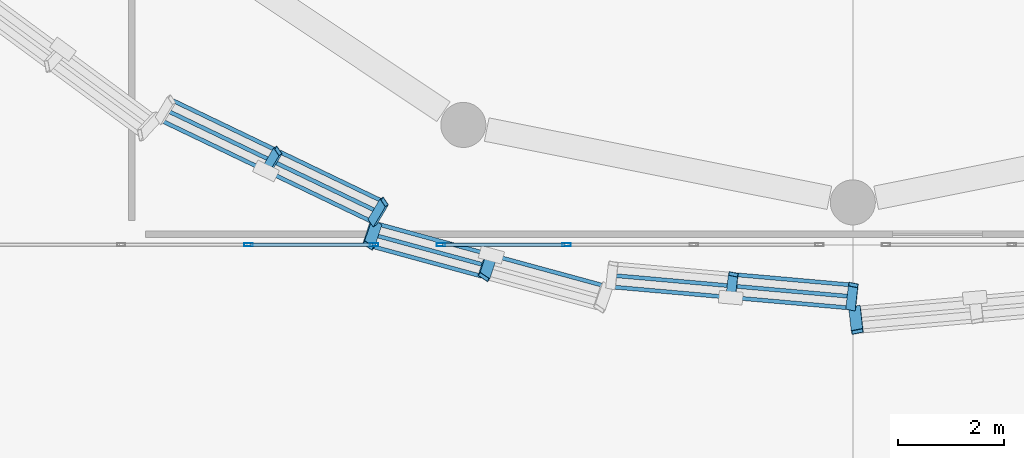
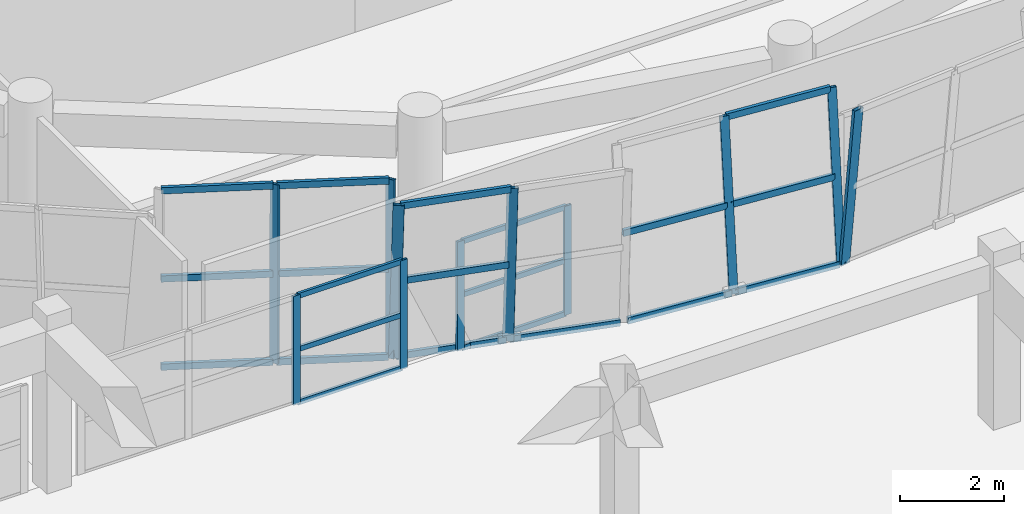
# One storey, part 19 of 74: 32 members, 6 elements without a shape of their own.
"""IFC4 building model written with IfcOpenShell, lengths in metres."""

import ifcopenshell
import ifcopenshell.guid

model = None  # the IFC model being written
_history = None  # IfcOwnerHistory: only IFC2X3 demands one
_inside = {}  # id of a spatial element -> (the spatial element, [elements in it])
_under = {}  # id of a project, library or spatial element -> (it, [spatial elements below it])
_declared = {}  # id of a project -> (the project, [libraries it declares])
_typed = {}  # id of a type object -> (the type object, [elements of that type])
_made_of = {}  # id of a material, layer set ... -> (it, [elements and type objects made of it])


def new_model(schema):
    """Start an empty IFC model of exactly this schema.

    Asked for "IFC4X3", IfcOpenShell would pick the latest addendum, in which some entities
    have other attributes; the version numbers below select the first issue.
    IFC2X3 requires an IfcOwnerHistory on every rooted entity: one is made here for all.
    """
    global model, _history
    if schema == "IFC4X3":
        model = ifcopenshell.file(schema_version=(4, 3, 0, 0))
    else:
        model = ifcopenshell.file(schema=schema)
    _inside.clear()
    _under.clear()
    _declared.clear()
    _typed.clear()
    _made_of.clear()
    _history = None
    if model.schema == "IFC2X3":
        org = make("IfcOrganization", Name="unknown")
        user = make(
            "IfcPersonAndOrganization",
            ThePerson=make("IfcPerson", FamilyName="unknown"),
            TheOrganization=org,
        )
        app = make(
            "IfcApplication",
            ApplicationDeveloper=org,
            Version="unknown",
            ApplicationFullName="unknown",
            ApplicationIdentifier="unknown",
        )
        _history = make(
            "IfcOwnerHistory",
            OwningUser=user,
            OwningApplication=app,
            ChangeAction="ADDED",
            CreationDate=0,
        )
    return model


def make(cls, **values):
    """One entity of the class cls with the attributes given. An attribute that is None is left unset."""
    return model.create_entity(
        cls, **{name: value for name, value in values.items() if value is not None}
    )


def rooted(cls, **values):
    """An entity with a GlobalId (a new one), such as an element, a storey or a relation."""
    return make(cls, GlobalId=ifcopenshell.guid.new(), OwnerHistory=_history, **values)


def si_unit(unit_type, name, prefix=None):
    """IfcSIUnit, for example si_unit("LENGTHUNIT", "METRE", prefix="MILLI")."""
    return make("IfcSIUnit", UnitType=unit_type, Prefix=prefix, Name=name)


def assignment(units):
    """IfcUnitAssignment: the units of a project."""
    return None if units is None else make("IfcUnitAssignment", Units=units)


def point(xyz):
    """IfcCartesianPoint."""
    return None if xyz is None else make("IfcCartesianPoint", Coordinates=xyz)


def direction(xyz):
    """IfcDirection."""
    return None if xyz is None else make("IfcDirection", DirectionRatios=xyz)


def frame(location, z_axis=None, x_axis=None):
    """IfcAxis2Placement3D, a coordinate frame: its origin and axes. An axis left out is left unset."""
    return make(
        "IfcAxis2Placement3D",
        Location=point(location),
        Axis=direction(z_axis),
        RefDirection=direction(x_axis),
    )


def frame_2d(location, x_axis=None):
    """IfcAxis2Placement2D, a coordinate frame in the plane: its origin and x axis."""
    return make(
        "IfcAxis2Placement2D", Location=point(location), RefDirection=direction(x_axis)
    )


def origin():
    """The frame at (0, 0, 0) with its axes left unset."""
    return frame((0.0, 0.0, 0.0))


def origin_2d():
    """The frame at (0, 0) in the plane with its x axis left unset."""
    return frame_2d((0.0, 0.0))


def place(relative_to, where):
    """IfcLocalPlacement: puts the frame where relative to a parent placement (None: the world)."""
    return make(
        "IfcLocalPlacement", PlacementRelTo=relative_to, RelativePlacement=where
    )


def context(
    kind, dimensions, precision=None, world=None, true_north=None, identifier=None
):
    """IfcGeometricRepresentationContext, for example the 3D "Model" context."""
    return make(
        "IfcGeometricRepresentationContext",
        ContextIdentifier=identifier,
        ContextType=kind,
        CoordinateSpaceDimension=dimensions,
        Precision=precision,
        WorldCoordinateSystem=world,
        TrueNorth=true_north,
    )


def subcontext(parent, identifier, kind, view, scale=None):
    """IfcGeometricRepresentationSubContext, for example "Body" below "Model"."""
    return make(
        "IfcGeometricRepresentationSubContext",
        ContextIdentifier=identifier,
        ContextType=kind,
        ParentContext=parent,
        TargetScale=scale,
        TargetView=view,
    )


def project(units=None, contexts=None):
    """IfcProject with its units and contexts."""
    return rooted(
        "IfcProject",
        Name="project",
        RepresentationContexts=contexts,
        UnitsInContext=assignment(units),
    )


def spatial(cls, under=None, at=None, **own):
    """A site, building, storey or space (cls), placed at a placement, below another one or the project."""
    s = rooted(cls, ObjectPlacement=at, **own)
    if under is not None:
        _under.setdefault(under.id(), (under, []))[1].append(s)
    return s


def profile(cls, at=None, kind="AREA", **sizes):
    """A parametric profile (cls). Its sizes go by their IFC names, for example OverallWidth=200.0."""
    return make(cls, ProfileType=kind, Position=at, **sizes)


def hollow_rectangle(**sizes):
    """IfcRectangleHollowProfileDef."""
    return profile("IfcRectangleHollowProfileDef", **sizes)


def extrude(swept, where, along, depth):
    """IfcExtrudedAreaSolid: the profile swept, set in the frame where, extruded along a direction by depth."""
    return make(
        "IfcExtrudedAreaSolid",
        SweptArea=swept,
        Position=where,
        ExtrudedDirection=direction(along),
        Depth=depth,
    )


def shape(context_of_items, identifier, shape_type, items):
    """IfcShapeRepresentation: the items that make up one representation, for example the "Body"."""
    return make(
        "IfcShapeRepresentation",
        ContextOfItems=context_of_items,
        RepresentationIdentifier=identifier,
        RepresentationType=shape_type,
        Items=items,
    )


def material(Name=None, Category=None):
    """IfcMaterial."""
    return make("IfcMaterial", Name=Name, Category=Category)


def material_profile(
    of_material, cross_section, Name=None, Category=None, Priority=None
):
    """IfcMaterialProfile: a cross section and its material."""
    return make(
        "IfcMaterialProfile",
        Name=Name,
        Material=of_material,
        Profile=cross_section,
        Priority=Priority,
        Category=Category,
    )


def profile_set(profiles, Name=None, composite=None):
    """IfcMaterialProfileSet."""
    return make(
        "IfcMaterialProfileSet",
        Name=Name,
        MaterialProfiles=profiles,
        CompositeProfile=composite,
    )


def made_of(thing, what):
    """Note that an element or type object is made of a material, layer set ...; save() writes the relation."""
    if what is not None:
        _made_of.setdefault(what.id(), (what, []))[1].append(thing)
    return thing


def type_object(cls, material=None, **own):
    """A type object (cls), such as IfcWallType, which elements share."""
    return made_of(rooted(cls, **own), material)


def element(
    cls,
    number,
    at=None,
    inside=None,
    cuts=None,
    type_object=None,
    material=None,
    context=None,
    identifier="Body",
    shape_type=None,
    held_by="IfcProductDefinitionShape",
    body=None,
    shapes=None,
    **own,
):
    """One element of the class cls, such as IfcWall. Its Tag is "e" and its number.

    at: its placement. inside: the storey or other place that contains it. cuts: it is an
    opening in that element (IfcRelVoidsElement). A single representation is given by context,
    identifier, shape_type and body (its items); several are given by shapes. held_by: the class
    of the entity that holds the representations. save() writes the other relations.
    """
    e = rooted(cls, Tag="e%d" % number, ObjectPlacement=at, **own)
    if body is not None:
        shapes = [shape(context, identifier, shape_type, body)]
    if shapes is not None:
        e.Representation = make(held_by, Representations=shapes)
    if inside is not None:
        _inside.setdefault(inside.id(), (inside, []))[1].append(e)
    if cuts is not None:
        rooted(
            "IfcRelVoidsElement", RelatingBuildingElement=cuts, RelatedOpeningElement=e
        )
    if type_object is not None:
        _typed.setdefault(type_object.id(), (type_object, []))[1].append(e)
    return made_of(e, material)


def aggregate(whole, parts):
    """IfcRelAggregates: a whole, such as a stair, and the parts it consists of."""
    return rooted("IfcRelAggregates", RelatingObject=whole, RelatedObjects=parts)


def save(model, path):
    """Write the relations noted so far, then the file.

    IfcRelAggregates (storeys below a building ...), IfcRelContainedInSpatialStructure (elements
    in a storey), IfcRelDefinesByType, IfcRelAssociatesMaterial and IfcRelDeclares: one each for
    every whole, place, type object, material and project.
    """
    for whole, parts in _under.values():
        aggregate(whole, parts)
    for where, things in _inside.values():
        rooted(
            "IfcRelContainedInSpatialStructure",
            RelatedElements=things,
            RelatingStructure=where,
        )
    for kind, things in _typed.values():
        rooted("IfcRelDefinesByType", RelatedObjects=things, RelatingType=kind)
    for what, things in _made_of.values():
        rooted("IfcRelAssociatesMaterial", RelatedObjects=things, RelatingMaterial=what)
    for by, libraries in _declared.values():
        rooted("IfcRelDeclares", RelatingContext=by, RelatedDefinitions=libraries)
    model.write(path)


model = new_model("IFC4")

# Units and contexts
model_context = context("Model", 3, precision=1e-05, world=origin(), true_north=direction((0.0, 1.0)))
body_context = subcontext(model_context, "Body", "Model", "MODEL_VIEW")
ifc_project = project(units=[si_unit("LENGTHUNIT", "METRE"), si_unit("AREAUNIT", "SQUARE_METRE"), si_unit("VOLUMEUNIT", "CUBIC_METRE"), si_unit("PLANEANGLEUNIT", "RADIAN"), si_unit("MASSUNIT", "GRAM", prefix="KILO")], contexts=[model_context])

# Site, building, storey
site_placement = place(None, origin())
site = spatial("IfcSite", under=ifc_project, at=site_placement, CompositionType="ELEMENT")
building_placement = place(site_placement, origin())
building = spatial("IfcBuilding", under=site, at=building_placement, Name="Korsvaeld Concert Hall", CompositionType="ELEMENT")
storey_placement = place(building_placement, frame((0.0, 0.0, 9.0)))
storey = spatial("IfcBuildingStorey", under=building, at=storey_placement, Name="L02", CompositionType="ELEMENT", Elevation=9.0)

# Curtain wall, members
ifc_material_1 = material(Name="Anodised bronze and ceramic-fritted safety glass", Category="glass")
curtain_wall_type_1 = type_object("IfcCurtainWallType", Name="CW-TYPE-08", PredefinedType="USERDEFINED", material=ifc_material_1)
curtain_wall_1_placement = place(storey_placement, origin())
curtain_wall_1 = element("IfcCurtainWall", 1, at=curtain_wall_1_placement, inside=storey, type_object=curtain_wall_type_1, Name="Glazed foyer acoustic screen L02-32", ObjectType="CURTAIN WALL", PredefinedType="USERDEFINED")
ifc_material_2 = material(Name="Anodised architectural bronze aluminium", Category="aluminium")
ifc_material_profile_1 = material_profile(ifc_material_2, hollow_rectangle(XDim=0.06005859375, YDim=0.159912109375, WallThickness=0.00390625, at=origin_2d()), Name="CWM 160x60x4")
ifc_profile_set_1 = profile_set([ifc_material_profile_1], Name="Anodised architectural bronze aluminium")
member_type_1 = type_object("IfcMemberType", Name="CWM-ALUM-160x60", PredefinedType="MULLION", material=ifc_profile_set_1)
member_1_placement = place(storey_placement, frame((72.60009765625, 43.199951171875, 0.0), z_axis=(0.0, 0.0, 1.0), x_axis=(0.0, 1.0, 0.0)))
member_1 = element("IfcMember", 2, at=member_1_placement, type_object=member_type_1, Name="CW-08 mullion 3", PredefinedType="MULLION", context=body_context, shape_type="SweptSolid", body=[
    extrude(hollow_rectangle(XDim=0.06005859375, YDim=0.159912109375, WallThickness=0.00390625, at=origin_2d()), origin(), (0.0, 0.0, 1.0), 2.550048828125),
])
member_2_placement = place(storey_placement, frame((74.969970703125, 43.199951171875, 0.0), z_axis=(0.0, 0.0, 1.0), x_axis=(0.0, 1.0, 0.0)))
member_2 = element("IfcMember", 3, at=member_2_placement, type_object=member_type_1, Name="CW-08 mullion 4", PredefinedType="MULLION", context=body_context, shape_type="SweptSolid", body=[
    extrude(hollow_rectangle(XDim=0.06005859375, YDim=0.159912109375, WallThickness=0.00390625, at=origin_2d()), origin(), (0.0, 0.0, 1.0), 2.550048828125),
])

curtain_wall_type_2 = type_object("IfcCurtainWallType", Name="CW-TYPE-09", PredefinedType="USERDEFINED", material=ifc_material_1)
curtain_wall_2_placement = place(storey_placement, origin())
curtain_wall_2 = element("IfcCurtainWall", 4, at=curtain_wall_2_placement, inside=storey, type_object=curtain_wall_type_2, Name="Glazed foyer acoustic screen L02-33", ObjectType="CURTAIN WALL", PredefinedType="USERDEFINED")
member_3_placement = place(storey_placement, frame((76.22998046875, 43.199951171875, 0.0), z_axis=(0.0, 0.0, 1.0), x_axis=(0.0, 1.0, 0.0)))
member_3 = element("IfcMember", 5, at=member_3_placement, type_object=member_type_1, Name="CW-09 mullion 1", PredefinedType="MULLION", context=body_context, shape_type="SweptSolid", body=[
    extrude(hollow_rectangle(XDim=0.06005859375, YDim=0.159912109375, WallThickness=0.00390625, at=origin_2d()), origin(), (0.0, 0.0, 1.0), 2.550048828125),
])
member_4_placement = place(storey_placement, frame((78.60009765625, 43.199951171875, 0.0), z_axis=(0.0, 0.0, 1.0), x_axis=(0.0, 1.0, 0.0)))
member_4 = element("IfcMember", 6, at=member_4_placement, type_object=member_type_1, Name="CW-09 mullion 2", PredefinedType="MULLION", context=body_context, shape_type="SweptSolid", body=[
    extrude(hollow_rectangle(XDim=0.06005859375, YDim=0.159912109375, WallThickness=0.00390625, at=origin_2d()), origin(), (0.0, 0.0, 1.0), 2.550048828125),
])

curtain_wall_type_3 = type_object("IfcCurtainWallType", Name="CW-TYPE-06", PredefinedType="USERDEFINED", material=ifc_material_1)
curtain_wall_3_placement = place(storey_placement, origin())
curtain_wall_3 = element("IfcCurtainWall", 7, at=curtain_wall_3_placement, inside=storey, type_object=curtain_wall_type_3, Name="Crystal curtain-wall facet L02 F22", ObjectType="CURTAIN WALL", PredefinedType="USERDEFINED")
ifc_material_profile_2 = material_profile(ifc_material_2, hollow_rectangle(XDim=0.074951171875, YDim=0.179931640625, WallThickness=0.0048828125, at=origin_2d()), Name="CWM 180x75x5")
ifc_profile_set_2 = profile_set([ifc_material_profile_2], Name="Anodised architectural bronze aluminium")
member_type_2 = type_object("IfcMemberType", Name="CWM-BRONZE-180x75", PredefinedType="MULLION", material=ifc_profile_set_2)
member_5_placement = place(storey_placement, frame((72.9287109375, 44.59326171875, 0.0), z_axis=(0.057831431032, 0.097281845066, 0.993575245367), x_axis=(-0.829740385878, -0.548745919408, 0.10202356579)))
member_5 = element("IfcMember", 8, at=member_5_placement, type_object=member_type_2, Name="CW-CRYS-L02-F22 crystal mullion 2", PredefinedType="MULLION", context=body_context, shape_type="SweptSolid", body=[
    extrude(hollow_rectangle(XDim=0.074951171875, YDim=0.179931640625, WallThickness=0.0048828125, at=origin_2d()), origin(), (0.0, 0.0, 1.0), 3.905029296875),
])
member_6_placement = place(storey_placement, frame((74.934814453125, 43.630126953125, 0.0), z_axis=(0.057893742062, 0.097281493141, 0.993571651026), x_axis=(-0.829999138773, -0.548349174532, 0.102052008437)))
member_6 = element("IfcMember", 9, at=member_6_placement, type_object=member_type_2, Name="CW-CRYS-L02-F22 crystal mullion 3", PredefinedType="MULLION", context=body_context, shape_type="SweptSolid", body=[
    extrude(hollow_rectangle(XDim=0.074951171875, YDim=0.179931640625, WallThickness=0.0048828125, at=origin_2d()), origin(), (0.0, 0.0, 1.0), 3.905029296875),
])

curtain_wall_4_placement = place(storey_placement, origin())
curtain_wall_4 = element("IfcCurtainWall", 10, at=curtain_wall_4_placement, inside=storey, type_object=curtain_wall_type_1, Name="Crystal curtain-wall facet L02 F24", ObjectType="CURTAIN WALL", PredefinedType="USERDEFINED")
member_7_placement = place(storey_placement, frame((81.697998046875, 42.20361328125, 0.0), z_axis=(0.0123164825, 0.112536388326, 0.993571268486), x_axis=(-0.195293442092, -0.974240168355, 0.11276775177)))
member_7 = element("IfcMember", 11, at=member_7_placement, type_object=member_type_2, Name="CW-CRYS-L02-F24 crystal mullion 2", PredefinedType="MULLION", context=body_context, shape_type="SweptSolid", body=[
    extrude(hollow_rectangle(XDim=0.074951171875, YDim=0.179931640625, WallThickness=0.0048828125, at=origin_2d()), origin(), (0.0, 0.0, 1.0), 3.905029296875),
])
member_8_placement = place(storey_placement, frame((83.962646484375, 42.00341796875, 0.0), z_axis=(0.012316569133, 0.112474659242, 0.993578257186), x_axis=(-0.195352766752, -0.974235346506, 0.112706637517)))
member_8 = element("IfcMember", 12, at=member_8_placement, type_object=member_type_2, Name="CW-CRYS-L02-F24 crystal mullion 3", PredefinedType="MULLION", context=body_context, shape_type="SweptSolid", body=[
    extrude(hollow_rectangle(XDim=0.074951171875, YDim=0.179931640625, WallThickness=0.0048828125, at=origin_2d()), origin(), (0.0, 0.0, 1.0), 3.905029296875),
])

curtain_wall_type_4 = type_object("IfcCurtainWallType", Name="CW-TYPE-07", PredefinedType="USERDEFINED", material=ifc_material_1)
curtain_wall_5_placement = place(storey_placement, origin())
curtain_wall_5 = element("IfcCurtainWall", 13, at=curtain_wall_5_placement, inside=storey, type_object=curtain_wall_type_4, Name="Crystal curtain-wall facet L02 F23", ObjectType="CURTAIN WALL", PredefinedType="USERDEFINED")
ifc_material_profile_3 = material_profile(ifc_material_2, hollow_rectangle(XDim=0.074951171875, YDim=0.219970703125, WallThickness=0.006103515625, at=origin_2d()), Name="CWM 220x75x6")
ifc_profile_set_3 = profile_set([ifc_material_profile_3], Name="Anodised architectural bronze aluminium")
member_type_3 = type_object("IfcMemberType", Name="CWM-BRONZE-220x75", PredefinedType="MULLION", material=ifc_profile_set_3)
member_9_placement = place(storey_placement, frame((75.0048828125, 43.60400390625, 0.0), z_axis=(-0.036199127939, -0.107284462077, 0.993569155788), x_axis=(0.555586106848, 0.82425112305, 0.109243599485)))
member_9 = element("IfcMember", 14, at=member_9_placement, type_object=member_type_3, Name="CW-CRYS-L02-F23 crystal mullion 1", PredefinedType="MULLION", context=body_context, shape_type="SweptSolid", body=[
    extrude(hollow_rectangle(XDim=0.074951171875, YDim=0.219970703125, WallThickness=0.006103515625, at=origin_2d()), origin(), (0.0, 0.0, 1.0), 3.905029296875),
])
member_10_placement = place(storey_placement, frame((77.182373046875, 43.010498046875, 0.0), z_axis=(-0.036261809037, -0.107222418101, 0.993573567614), x_axis=(0.556164276889, 0.823866065586, 0.109206241069)))
member_10 = element("IfcMember", 15, at=member_10_placement, type_object=member_type_3, Name="CW-CRYS-L02-F23 crystal mullion 2", PredefinedType="MULLION", context=body_context, shape_type="SweptSolid", body=[
    extrude(hollow_rectangle(XDim=0.074951171875, YDim=0.219970703125, WallThickness=0.006103515625, at=origin_2d()), origin(), (0.0, 0.0, 1.0), 3.905029296875),
])

# Curtain wall, member
curtain_wall_type_5 = type_object("IfcCurtainWallType", Name="CW-TYPE-01", PredefinedType="USERDEFINED", material=ifc_material_1)
curtain_wall_6_placement = place(storey_placement, origin())
curtain_wall_6 = element("IfcCurtainWall", 16, at=curtain_wall_6_placement, inside=storey, type_object=curtain_wall_type_5, Name="Crystal curtain-wall facet L02 F25", ObjectType="CURTAIN WALL", PredefinedType="USERDEFINED")
member_11_placement = place(storey_placement, frame((84.037353515625, 42.00341796875, 0.0), z_axis=(0.0123164825, -0.112536388326, 0.993571268486), x_axis=(-0.195293442092, 0.974240168355, 0.11276775177)))
member_11 = element("IfcMember", 17, at=member_11_placement, type_object=member_type_3, Name="CW-CRYS-L02-F25 crystal mullion 1", PredefinedType="MULLION", context=body_context, shape_type="SweptSolid", body=[
    extrude(hollow_rectangle(XDim=0.074951171875, YDim=0.219970703125, WallThickness=0.006103515625, at=origin_2d()), origin(), (0.0, 0.0, 1.0), 3.905029296875),
])
aggregate(curtain_wall_6, [member_11])

# Member
ifc_material_profile_4 = material_profile(ifc_material_2, hollow_rectangle(XDim=0.06005859375, YDim=0.1201171875, WallThickness=0.00390625, at=origin_2d()), Name="CWT 120x60x4")
ifc_profile_set_4 = profile_set([ifc_material_profile_4], Name="Anodised architectural bronze aluminium")
member_type_4 = type_object("IfcMemberType", Name="CWT-ALUM-120x60", PredefinedType="USERDEFINED", material=ifc_profile_set_4)
member_12_placement = place(storey_placement, frame((72.6298828125, 43.199951171875, 0.030029296875), z_axis=(1.0, 0.0, 0.0), x_axis=(0.0, 1.0, 0.0)))
member_12 = element("IfcMember", 18, at=member_12_placement, type_object=member_type_4, Name="CW-08 transom 3.1", ObjectType="TRANSOM", PredefinedType="USERDEFINED", context=body_context, shape_type="SweptSolid", body=[
    extrude(hollow_rectangle(XDim=0.06005859375, YDim=0.1201171875, WallThickness=0.00390625, at=origin_2d()), origin(), (0.0, 0.0, 1.0), 2.31005859375),
])

member_13_placement = place(storey_placement, frame((72.6298828125, 43.199951171875, 1.27490234375), z_axis=(1.0, 0.0, 0.0), x_axis=(0.0, 1.0, 0.0)))
member_13 = element("IfcMember", 19, at=member_13_placement, type_object=member_type_4, Name="CW-08 transom 3.2", ObjectType="TRANSOM", PredefinedType="USERDEFINED", context=body_context, shape_type="SweptSolid", body=[
    extrude(hollow_rectangle(XDim=0.06005859375, YDim=0.1201171875, WallThickness=0.00390625, at=origin_2d()), origin(), (0.0, 0.0, 1.0), 2.31005859375),
])

member_14_placement = place(storey_placement, frame((72.6298828125, 43.199951171875, 2.52001953125), z_axis=(1.0, 0.0, 0.0), x_axis=(0.0, 1.0, 0.0)))
member_14 = element("IfcMember", 20, at=member_14_placement, type_object=member_type_4, Name="CW-08 transom 3.3", ObjectType="TRANSOM", PredefinedType="USERDEFINED", context=body_context, shape_type="SweptSolid", body=[
    extrude(hollow_rectangle(XDim=0.06005859375, YDim=0.1201171875, WallThickness=0.00390625, at=origin_2d()), origin(), (0.0, 0.0, 1.0), 2.31005859375),
])

aggregate(curtain_wall_1, [member_1, member_2, member_12, member_13, member_14])

member_15_placement = place(storey_placement, frame((76.260009765625, 43.199951171875, 0.030029296875), z_axis=(1.0, 0.0, 0.0), x_axis=(0.0, 1.0, 0.0)))
member_15 = element("IfcMember", 21, at=member_15_placement, type_object=member_type_4, Name="CW-09 transom 1.1", ObjectType="TRANSOM", PredefinedType="USERDEFINED", context=body_context, shape_type="SweptSolid", body=[
    extrude(hollow_rectangle(XDim=0.06005859375, YDim=0.1201171875, WallThickness=0.00390625, at=origin_2d()), origin(), (0.0, 0.0, 1.0), 2.31005859375),
])

member_16_placement = place(storey_placement, frame((76.260009765625, 43.199951171875, 1.27490234375), z_axis=(1.0, 0.0, 0.0), x_axis=(0.0, 1.0, 0.0)))
member_16 = element("IfcMember", 22, at=member_16_placement, type_object=member_type_4, Name="CW-09 transom 1.2", ObjectType="TRANSOM", PredefinedType="USERDEFINED", context=body_context, shape_type="SweptSolid", body=[
    extrude(hollow_rectangle(XDim=0.06005859375, YDim=0.1201171875, WallThickness=0.00390625, at=origin_2d()), origin(), (0.0, 0.0, 1.0), 2.31005859375),
])

member_17_placement = place(storey_placement, frame((76.260009765625, 43.199951171875, 2.52001953125), z_axis=(1.0, 0.0, 0.0), x_axis=(0.0, 1.0, 0.0)))
member_17 = element("IfcMember", 23, at=member_17_placement, type_object=member_type_4, Name="CW-09 transom 1.3", ObjectType="TRANSOM", PredefinedType="USERDEFINED", context=body_context, shape_type="SweptSolid", body=[
    extrude(hollow_rectangle(XDim=0.06005859375, YDim=0.1201171875, WallThickness=0.00390625, at=origin_2d()), origin(), (0.0, 0.0, 1.0), 2.31005859375),
])

aggregate(curtain_wall_2, [member_3, member_4, member_15, member_16, member_17])

ifc_material_profile_5 = material_profile(ifc_material_2, hollow_rectangle(XDim=0.074951171875, YDim=0.14990234375, WallThickness=0.0048828125, at=origin_2d()), Name="CWT 150x75x5")
ifc_profile_set_5 = profile_set([ifc_material_profile_5], Name="Anodised architectural bronze aluminium")
member_type_5 = type_object("IfcMemberType", Name="CWT-BRONZE-150x75", PredefinedType="USERDEFINED", material=ifc_profile_set_5)
member_18_placement = place(storey_placement, frame((70.957763671875, 45.543212890625, 0.030029296875), z_axis=(0.901508884705, -0.432760592935, 0.0), x_axis=(0.432760592935, 0.901508884705, 0.0)))
member_18 = element("IfcMember", 24, at=member_18_placement, type_object=member_type_5, Name="CW-CRYS-L02-F22 crystal transom 1.1", ObjectType="TRANSOM", PredefinedType="USERDEFINED", context=body_context, shape_type="SweptSolid", body=[
    extrude(hollow_rectangle(XDim=0.074951171875, YDim=0.14990234375, WallThickness=0.0048828125, at=origin_2d()), origin(), (0.0, 0.0, 1.0), 2.150634765625),
])

member_19_placement = place(storey_placement, frame((71.069091796875, 45.730224609375, 1.93994140625), z_axis=(0.901508884705, -0.432760592935, 0.0), x_axis=(0.432760592935, 0.901508884705, 0.0)))
member_19 = element("IfcMember", 25, at=member_19_placement, type_object=member_type_5, Name="CW-CRYS-L02-F22 crystal transom 1.2", ObjectType="TRANSOM", PredefinedType="USERDEFINED", context=body_context, shape_type="SweptSolid", body=[
    extrude(hollow_rectangle(XDim=0.074951171875, YDim=0.14990234375, WallThickness=0.0048828125, at=origin_2d()), origin(), (0.0, 0.0, 1.0), 2.150634765625),
])

member_20_placement = place(storey_placement, frame((71.180419921875, 45.917236328125, 3.85009765625), z_axis=(0.901508884705, -0.432760592935, 0.0), x_axis=(0.432760592935, 0.901508884705, 0.0)))
member_20 = element("IfcMember", 26, at=member_20_placement, type_object=member_type_5, Name="CW-CRYS-L02-F22 crystal transom 1.3", ObjectType="TRANSOM", PredefinedType="USERDEFINED", context=body_context, shape_type="SweptSolid", body=[
    extrude(hollow_rectangle(XDim=0.074951171875, YDim=0.14990234375, WallThickness=0.0048828125, at=origin_2d()), origin(), (0.0, 0.0, 1.0), 2.150634765625),
])

member_21_placement = place(storey_placement, frame((72.964111328125, 44.580078125, 0.030029296875), z_axis=(0.901464591462, -0.432852850679, 0.0), x_axis=(0.432852850679, 0.901464591462, 0.0)))
member_21 = element("IfcMember", 27, at=member_21_placement, type_object=member_type_5, Name="CW-CRYS-L02-F22 crystal transom 2.1", ObjectType="TRANSOM", PredefinedType="USERDEFINED", context=body_context, shape_type="SweptSolid", body=[
    extrude(hollow_rectangle(XDim=0.074951171875, YDim=0.14990234375, WallThickness=0.0048828125, at=origin_2d()), origin(), (0.0, 0.0, 1.0), 2.150634765625),
])

member_22_placement = place(storey_placement, frame((73.075439453125, 44.76708984375, 1.93994140625), z_axis=(0.901464591462, -0.432852850679, 0.0), x_axis=(0.432852850679, 0.901464591462, 0.0)))
member_22 = element("IfcMember", 28, at=member_22_placement, type_object=member_type_5, Name="CW-CRYS-L02-F22 crystal transom 2.2", ObjectType="TRANSOM", PredefinedType="USERDEFINED", context=body_context, shape_type="SweptSolid", body=[
    extrude(hollow_rectangle(XDim=0.074951171875, YDim=0.14990234375, WallThickness=0.0048828125, at=origin_2d()), origin(), (0.0, 0.0, 1.0), 2.150634765625),
])

member_23_placement = place(storey_placement, frame((73.186767578125, 44.9541015625, 3.85009765625), z_axis=(0.901464591462, -0.432852850679, 0.0), x_axis=(0.432852850679, 0.901464591462, 0.0)))
member_23 = element("IfcMember", 29, at=member_23_placement, type_object=member_type_5, Name="CW-CRYS-L02-F22 crystal transom 2.3", ObjectType="TRANSOM", PredefinedType="USERDEFINED", context=body_context, shape_type="SweptSolid", body=[
    extrude(hollow_rectangle(XDim=0.074951171875, YDim=0.14990234375, WallThickness=0.0048828125, at=origin_2d()), origin(), (0.0, 0.0, 1.0), 2.150634765625),
])

aggregate(curtain_wall_3, [member_5, member_6, member_18, member_19, member_20, member_21, member_22, member_23])

member_24_placement = place(storey_placement, frame((75.0400390625, 43.5908203125, 0.030029296875), z_axis=(0.964833511963, -0.262861739689, 0.0), x_axis=(0.262861739689, 0.964833511963, 0.0)))
member_24 = element("IfcMember", 30, at=member_24_placement, type_object=member_type_5, Name="CW-CRYS-L02-F23 crystal transom 1.1", ObjectType="TRANSOM", PredefinedType="USERDEFINED", context=body_context, shape_type="SweptSolid", body=[
    extrude(hollow_rectangle(XDim=0.074951171875, YDim=0.14990234375, WallThickness=0.0048828125, at=origin_2d()), origin(), (0.0, 0.0, 1.0), 2.181640625),
])

member_25_placement = place(storey_placement, frame((74.970458984375, 43.384765625, 1.93994140625), z_axis=(0.964805126409, -0.262965906641, 0.0), x_axis=(0.262965906641, 0.964805126409, 0.0)))
member_25 = element("IfcMember", 31, at=member_25_placement, type_object=member_type_5, Name="CW-CRYS-L02-F23 crystal transom 1.2", ObjectType="TRANSOM", PredefinedType="USERDEFINED", context=body_context, shape_type="SweptSolid", body=[
    extrude(hollow_rectangle(XDim=0.074951171875, YDim=0.14990234375, WallThickness=0.0048828125, at=origin_2d()), origin(), (0.0, 0.0, 1.0), 2.181884765625),
])

member_26_placement = place(storey_placement, frame((74.900634765625, 43.178466796875, 3.85009765625), z_axis=(0.964841242841, -0.262833361873, 0.0), x_axis=(0.262833361873, 0.964841242841, 0.0)))
member_26 = element("IfcMember", 32, at=member_26_placement, type_object=member_type_5, Name="CW-CRYS-L02-F23 crystal transom 1.3", ObjectType="TRANSOM", PredefinedType="USERDEFINED", context=body_context, shape_type="SweptSolid", body=[
    extrude(hollow_rectangle(XDim=0.074951171875, YDim=0.14990234375, WallThickness=0.0048828125, at=origin_2d()), origin(), (0.0, 0.0, 1.0), 2.181884765625),
])

member_27_placement = place(storey_placement, frame((77.21728515625, 42.99755859375, 0.030029296875), z_axis=(0.964812863187, -0.26293751925, 0.0), x_axis=(0.26293751925, 0.964812863187, 0.0)))
member_27 = element("IfcMember", 33, at=member_27_placement, type_object=member_type_5, Name="CW-CRYS-L02-F23 crystal transom 2.1", ObjectType="TRANSOM", PredefinedType="USERDEFINED", context=body_context, shape_type="SweptSolid", body=[
    extrude(hollow_rectangle(XDim=0.074951171875, YDim=0.14990234375, WallThickness=0.0048828125, at=origin_2d()), origin(), (0.0, 0.0, 1.0), 2.181884765625),
])

aggregate(curtain_wall_5, [member_9, member_10, member_24, member_25, member_26, member_27])

member_28_placement = place(storey_placement, frame((79.470947265625, 42.404296875, 0.030029296875), z_axis=(0.996105218313, -0.088172524341, 0.0), x_axis=(0.088172524341, 0.996105218313, 0.0)))
member_28 = element("IfcMember", 34, at=member_28_placement, type_object=member_type_5, Name="CW-CRYS-L02-F24 crystal transom 1.1", ObjectType="TRANSOM", PredefinedType="USERDEFINED", context=body_context, shape_type="SweptSolid", body=[
    extrude(hollow_rectangle(XDim=0.074951171875, YDim=0.14990234375, WallThickness=0.0048828125, at=origin_2d()), origin(), (0.0, 0.0, 1.0), 2.198486328125),
])

member_29_placement = place(storey_placement, frame((79.49462890625, 42.62060546875, 1.93994140625), z_axis=(0.996105218313, -0.088172524341, 0.0), x_axis=(0.088172524341, 0.996105218313, 0.0)))
member_29 = element("IfcMember", 35, at=member_29_placement, type_object=member_type_5, Name="CW-CRYS-L02-F24 crystal transom 1.2", ObjectType="TRANSOM", PredefinedType="USERDEFINED", context=body_context, shape_type="SweptSolid", body=[
    extrude(hollow_rectangle(XDim=0.074951171875, YDim=0.14990234375, WallThickness=0.0048828125, at=origin_2d()), origin(), (0.0, 0.0, 1.0), 2.198486328125),
])

member_30_placement = place(storey_placement, frame((81.735595703125, 42.203857421875, 0.030029296875), z_axis=(0.996106081505, -0.088162772123, 0.0), x_axis=(0.088162772123, 0.996106081505, 0.0)))
member_30 = element("IfcMember", 36, at=member_30_placement, type_object=member_type_5, Name="CW-CRYS-L02-F24 crystal transom 2.1", ObjectType="TRANSOM", PredefinedType="USERDEFINED", context=body_context, shape_type="SweptSolid", body=[
    extrude(hollow_rectangle(XDim=0.074951171875, YDim=0.14990234375, WallThickness=0.0048828125, at=origin_2d()), origin(), (0.0, 0.0, 1.0), 2.19873046875),
])

member_31_placement = place(storey_placement, frame((81.75927734375, 42.420166015625, 1.93994140625), z_axis=(0.996106081505, -0.088162772123, 0.0), x_axis=(0.088162772123, 0.996106081505, 0.0)))
member_31 = element("IfcMember", 37, at=member_31_placement, type_object=member_type_5, Name="CW-CRYS-L02-F24 crystal transom 2.2", ObjectType="TRANSOM", PredefinedType="USERDEFINED", context=body_context, shape_type="SweptSolid", body=[
    extrude(hollow_rectangle(XDim=0.074951171875, YDim=0.14990234375, WallThickness=0.0048828125, at=origin_2d()), origin(), (0.0, 0.0, 1.0), 2.19873046875),
])

member_32_placement = place(storey_placement, frame((81.783203125, 42.636474609375, 3.85009765625), z_axis=(0.996105218313, -0.088172524341, 0.0), x_axis=(0.088172524341, 0.996105218313, 0.0)))
member_32 = element("IfcMember", 38, at=member_32_placement, type_object=member_type_5, Name="CW-CRYS-L02-F24 crystal transom 2.3", ObjectType="TRANSOM", PredefinedType="USERDEFINED", context=body_context, shape_type="SweptSolid", body=[
    extrude(hollow_rectangle(XDim=0.074951171875, YDim=0.14990234375, WallThickness=0.0048828125, at=origin_2d()), origin(), (0.0, 0.0, 1.0), 2.198486328125),
])

aggregate(curtain_wall_4, [member_7, member_8, member_28, member_29, member_30, member_31, member_32])

save(model, "model.ifc")
